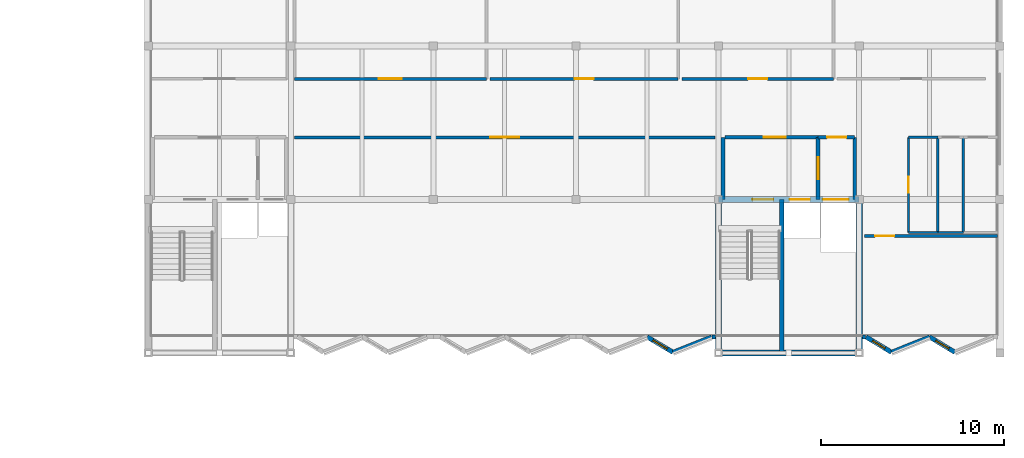
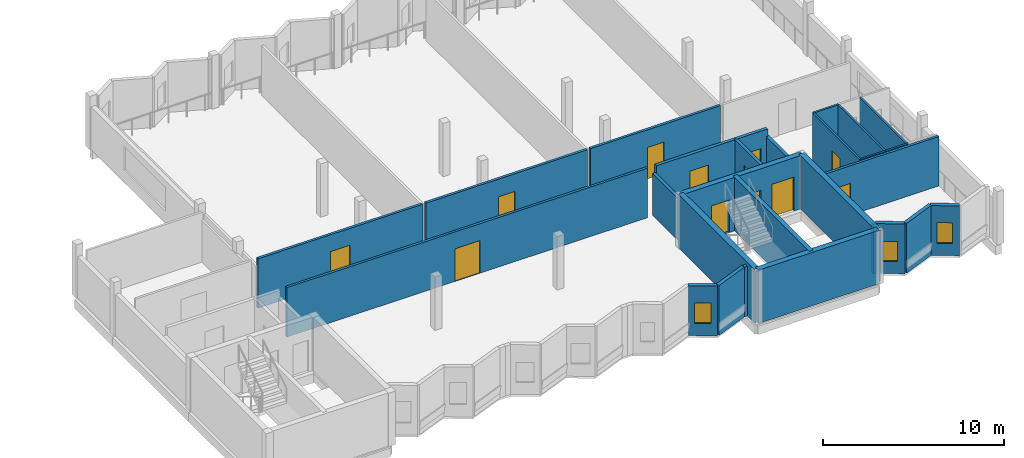
# One storey, part 17 of 25: 28 walls, 12 doors, 3 windows, 15 openings.
"""IFC4 building model written with IfcOpenShell, lengths in metres."""

from ifc_helpers import new_model, si_unit, direction, frame, frame_2d, origin, place, context, subcontext, project, spatial, rectangle, extrude, material, layer, layer_set, type_object, element, fill, save


model = new_model("IFC4")

# Units and contexts
model_context = context("Model", 3, precision=1e-05, world=origin(), true_north=direction((0.0, 1.0)))
body_context = subcontext(model_context, "Body", "Model", "MODEL_VIEW")
ifc_project = project(units=[si_unit("LENGTHUNIT", "METRE"), si_unit("AREAUNIT", "SQUARE_METRE"), si_unit("VOLUMEUNIT", "CUBIC_METRE"), si_unit("PLANEANGLEUNIT", "RADIAN"), si_unit("MASSUNIT", "GRAM", prefix="KILO")], contexts=[model_context])

# Site, building, storey
site_placement = place(None, origin())
site = spatial("IfcSite", under=ifc_project, at=site_placement, CompositionType="ELEMENT")
building_placement = place(site_placement, origin())
building = spatial("IfcBuilding", under=site, at=building_placement, Name="Vharandega Faculty of Natural Sciences", CompositionType="ELEMENT")
storey_placement = place(building_placement, frame((0.0, 0.0, 25.199951171875)))
storey = spatial("IfcBuildingStorey", under=building, at=storey_placement, Name="L06", CompositionType="ELEMENT", Elevation=25.199951171875)

# Walls
ifc_material_1 = material(Name="Concrete C40/50", Category="concrete")
ifc_layer_1 = layer(ifc_material_1, 0.35009765625, Name="Concrete C40/50")
ifc_layer_set_1 = layer_set([ifc_layer_1], Name="Concrete C40/50")
wall_type_1 = type_object("IfcWallType", Name="Core Shear Wall 350", PredefinedType="SHEAR", material=ifc_layer_set_1)
wall_1_placement = place(storey_placement, frame((146.0, 64.0, 0.0), z_axis=(0.0, 0.0, 1.0), x_axis=(1.0, 0.0, 0.0)))
element("IfcWall", 1, at=wall_1_placement, inside=storey, type_object=wall_type_1, Name="Interior Wall CW-C2-L06-S", PredefinedType="SHEAR", context=body_context, shape_type="SweptSolid", body=[
    extrude(rectangle(XDim=7.699951171875, YDim=0.35009765625, at=frame_2d((3.85009765625, 0.0))), origin(), (0.0, 0.0, 1.0), 3.60009765625),
])
for number, where, z_axis, x_axis, name in (
    (2, (146.0, 64.0, 0.0), (0.0, 0.0, 1.0), (0.0, 1.0, 0.0), "Interior Wall CW-C2-L06-W"),
    (3, (153.699951171875, 64.0, 0.0), (0.0, 0.0, 1.0), (0.0, 1.0, 0.0), "Interior Wall CW-C2-L06-E"),
):
    element("IfcWall", number, at=place(storey_placement, frame(where, z_axis=z_axis, x_axis=x_axis)), inside=storey, type_object=wall_type_1, Name=name, PredefinedType="SHEAR", context=body_context, shape_type="SweptSolid", body=[
        extrude(rectangle(XDim=8.39990234375, YDim=0.35009765625, at=frame_2d((4.199951171875, 0.0))), origin(), (0.0, 0.0, 1.0), 3.60009765625),
    ])

# Wall, openings, doors
wall_2_placement = place(storey_placement, frame((146.0, 72.39990234375, 0.0), z_axis=(0.0, 0.0, 1.0), x_axis=(1.0, 0.0, 0.0)))
wall_2 = element("IfcWall", 4, at=wall_2_placement, inside=storey, type_object=wall_type_1, Name="Interior Wall CW-C2-L06-N", PredefinedType="SHEAR", context=body_context, shape_type="SweptSolid", body=[
    extrude(rectangle(XDim=7.699951171875, YDim=0.35009765625, at=frame_2d((3.85009765625, 0.0))), origin(), (0.0, 0.0, 1.0), 3.60009765625),
])
opening_1_placement = place(wall_2_placement, frame((1.85009765625, 0.0, 0.0)))
opening_1 = element("IfcOpeningElement", 5, at=opening_1_placement, cuts=wall_2, Name="Opening FD1", PredefinedType="OPENING", context=body_context, shape_type="SweptSolid", body=[
    extrude(rectangle(XDim=1.14990234375, YDim=2.199951171875, at=frame_2d((0.574951171875, 1.10009765625))), frame((0.0, 0.18505859375, 0.0), z_axis=(0.0, -1.0, 0.0), x_axis=(1.0, 0.0, 0.0)), (0.0, 0.0, 1.0), 0.3701171875),
])
opening_2_placement = place(wall_2_placement, frame((3.89990234375, 0.0, 0.0)))
opening_2 = element("IfcOpeningElement", 6, at=opening_2_placement, cuts=wall_2, Name="Opening LD-FL2-L06", PredefinedType="OPENING", context=body_context, shape_type="SweptSolid", body=[
    extrude(rectangle(XDim=1.10009765625, YDim=2.14990234375, at=frame_2d((0.550048828125, 1.074951171875))), frame((0.0, 0.18505859375, 0.0), z_axis=(0.0, -1.0, 0.0), x_axis=(1.0, 0.0, 0.0)), (0.0, 0.0, 1.0), 0.3701171875),
])
opening_3_placement = place(wall_2_placement, frame((5.719970703125, 0.0, 0.0)))
opening_3 = element("IfcOpeningElement", 7, at=opening_3_placement, cuts=wall_2, Name="Opening LD-LG1-L06", PredefinedType="OPENING", context=body_context, shape_type="SweptSolid", body=[
    extrude(rectangle(XDim=1.39990234375, YDim=2.300048828125, at=frame_2d((0.699951171875, 1.14990234375))), frame((0.0, 0.18505859375, 0.0), z_axis=(0.0, -1.0, 0.0), x_axis=(1.0, 0.0, 0.0)), (0.0, 0.0, 1.0), 0.3701171875),
])
ifc_material_2 = material(Name="Solid-core hardwood timber fire door", Category="wood")
door_type_1 = type_object("IfcDoorType", Name="FD1-STAIR-1150x2200", OperationType="NOTDEFINED", PredefinedType="DOOR", material=ifc_material_2)
door_1_placement = place(opening_1_placement, origin())
door_1 = element("IfcDoor", 8, at=door_1_placement, inside=storey, type_object=door_type_1, Name="Stair ST2 Fire Door FD1", OperationType="SINGLE_SWING_LEFT", OverallHeight=2.199951171875, OverallWidth=1.14990234375, PredefinedType="DOOR", context=body_context, shape_type="SweptSolid", body=[
    extrude(rectangle(XDim=1.14990234375, YDim=2.199951171875, at=frame_2d((0.574951171875, 1.10009765625))), frame((0.0, 0.02490234375, 0.0), z_axis=(0.0, -1.0, 0.0), x_axis=(1.0, 0.0, 0.0)), (0.0, 0.0, 1.0), 0.050048828125),
])
fill(opening_1, door_1)
ifc_material_3 = material(Name="Brushed stainless steel sliding landing door", Category="steel")
door_type_2 = type_object("IfcDoorType", Name="LD1-FFLIFT-SLIDING-1100x2150", OperationType="DOUBLE_DOOR_SLIDING", PredefinedType="DOOR", material=ifc_material_3)
door_2_placement = place(opening_2_placement, origin())
door_2 = element("IfcDoor", 9, at=door_2_placement, inside=storey, type_object=door_type_2, Name="Lift Landing Door LD-FL2-L06", OperationType="DOUBLE_DOOR_SLIDING", OverallHeight=2.14990234375, OverallWidth=1.10009765625, PredefinedType="DOOR", context=body_context, shape_type="SweptSolid", body=[
    extrude(rectangle(XDim=1.10009765625, YDim=2.14990234375, at=frame_2d((0.550048828125, 1.074951171875))), frame((0.0, 0.02490234375, 0.0), z_axis=(0.0, -1.0, 0.0), x_axis=(1.0, 0.0, 0.0)), (0.0, 0.0, 1.0), 0.050048828125),
])
fill(opening_2, door_2)
ifc_material_4 = material(Name="Brushed stainless steel sliding landing door", Category="steel")
door_type_3 = type_object("IfcDoorType", Name="LD3-GOODSLIFT-SLIDING-1400x2300", OperationType="DOUBLE_DOOR_SLIDING", PredefinedType="DOOR", material=ifc_material_4)
door_3_placement = place(opening_3_placement, origin())
door_3 = element("IfcDoor", 10, at=door_3_placement, inside=storey, type_object=door_type_3, Name="Lift Landing Door LD-LG1-L06", OperationType="DOUBLE_DOOR_SLIDING", OverallHeight=2.300048828125, OverallWidth=1.39990234375, PredefinedType="DOOR", context=body_context, shape_type="SweptSolid", body=[
    extrude(rectangle(XDim=1.39990234375, YDim=2.300048828125, at=frame_2d((0.699951171875, 1.14990234375))), frame((0.0, 0.02490234375, 0.0), z_axis=(0.0, -1.0, 0.0), x_axis=(1.0, 0.0, 0.0)), (0.0, 0.0, 1.0), 0.050048828125),
])
fill(opening_3, door_3)

# Wall, opening, door
ifc_material_5 = material(Name="Concrete C40/50", Category="concrete")
ifc_layer_2 = layer(ifc_material_5, 0.199951171875, Name="Concrete C40/50")
ifc_layer_set_2 = layer_set([ifc_layer_2], Name="Concrete C40/50")
wall_type_2 = type_object("IfcWallType", Name="Firefighting Lobby Wall 200", PredefinedType="PARTITIONING", material=ifc_layer_set_2)
wall_3_placement = place(storey_placement, frame((146.35009765625, 75.800048828125, 0.0), z_axis=(0.0, 0.0, 1.0), x_axis=(1.0, 0.0, 0.0)))
wall_3 = element("IfcWall", 11, at=wall_3_placement, inside=storey, type_object=wall_type_2, Name="Interior Wall PW-FFL-C2-L06-N", PredefinedType="PARTITIONING", context=body_context, shape_type="SweptSolid", body=[
    extrude(rectangle(XDim=5.099853515625, YDim=0.199951171875, at=frame_2d((2.5498046875, 0.0))), origin(), (0.0, 0.0, 1.0), 3.320068359375),
])
opening_4_placement = place(wall_3_placement, frame((2.125, 0.0, 0.0)))
opening_4 = element("IfcOpeningElement", 12, at=opening_4_placement, cuts=wall_3, Name="Opening FD2", PredefinedType="OPENING", context=body_context, shape_type="SweptSolid", body=[
    extrude(rectangle(XDim=1.199951171875, YDim=2.199951171875, at=frame_2d((0.60009765625, 1.10009765625))), frame((0.0, 0.10986328125, 0.0), z_axis=(0.0, -1.0, 0.0), x_axis=(1.0, 0.0, 0.0)), (0.0, 0.0, 1.0), 0.219970703125),
])
ifc_material_6 = material(Name="Solid-core hardwood timber fire door", Category="wood")
door_type_4 = type_object("IfcDoorType", Name="FD2-FFLOBBY-1200x2200", OperationType="NOTDEFINED", PredefinedType="DOOR", material=ifc_material_6)
door_4_placement = place(opening_4_placement, origin())
door_4 = element("IfcDoor", 13, at=door_4_placement, inside=storey, type_object=door_type_4, Name="Firefighting Lobby C2 Door FD2", OperationType="SINGLE_SWING_RIGHT", OverallHeight=2.199951171875, OverallWidth=1.199951171875, PredefinedType="DOOR", context=body_context, shape_type="SweptSolid", body=[
    extrude(rectangle(XDim=1.199951171875, YDim=2.199951171875, at=frame_2d((0.60009765625, 1.10009765625))), frame((0.0, 0.02490234375, 0.0), z_axis=(0.0, -1.0, 0.0), x_axis=(1.0, 0.0, 0.0)), (0.0, 0.0, 1.0), 0.050048828125),
])
fill(opening_4, door_4)

# Wall
wall_4_placement = place(storey_placement, frame((146.25, 72.39990234375, 0.0), z_axis=(0.0, 0.0, 1.0), x_axis=(0.0, 1.0, 0.0)))
element("IfcWall", 14, at=wall_4_placement, inside=storey, type_object=wall_type_2, Name="Interior Wall PW-FFL-C2-L06-W", PredefinedType="PARTITIONING", context=body_context, shape_type="SweptSolid", body=[
    extrude(rectangle(XDim=3.400146484375, YDim=0.199951171875, at=frame_2d((1.7001953125, 0.0))), origin(), (0.0, 0.0, 1.0), 2.820068359375),
])

# Wall, opening, door
wall_5_placement = place(storey_placement, frame((151.449951171875, 72.39990234375, 0.0), z_axis=(0.0, 0.0, 1.0), x_axis=(0.0, 1.0, 0.0)))
wall_5 = element("IfcWall", 15, at=wall_5_placement, inside=storey, type_object=wall_type_2, Name="Interior Wall PW-FFL-C2-L06-E", PredefinedType="PARTITIONING", context=body_context, shape_type="SweptSolid", body=[
    extrude(rectangle(XDim=3.400146484375, YDim=0.199951171875, at=frame_2d((1.7001953125, 0.0))), origin(), (0.0, 0.0, 1.0), 3.320068359375),
])
opening_5_placement = place(wall_5_placement, frame((1.10009765625, 0.0, 0.0)))
opening_5 = element("IfcOpeningElement", 16, at=opening_5_placement, cuts=wall_5, Name="Opening FD2", PredefinedType="OPENING", context=body_context, shape_type="SweptSolid", body=[
    extrude(rectangle(XDim=1.199951171875, YDim=2.199951171875, at=frame_2d((0.60009765625, 1.10009765625))), frame((0.0, 0.10986328125, 0.0), z_axis=(0.0, -1.0, 0.0), x_axis=(1.0, 0.0, 0.0)), (0.0, 0.0, 1.0), 0.219970703125),
])
door_5_placement = place(opening_5_placement, origin())
door_5 = element("IfcDoor", 17, at=door_5_placement, inside=storey, type_object=door_type_4, Name="Lobby Interconnect C2 Door FD2", OperationType="SINGLE_SWING_LEFT", OverallHeight=2.199951171875, OverallWidth=1.199951171875, PredefinedType="DOOR", context=body_context, shape_type="SweptSolid", body=[
    extrude(rectangle(XDim=1.199951171875, YDim=2.199951171875, at=frame_2d((0.60009765625, 1.10009765625))), frame((0.0, 0.02490234375, 0.0), z_axis=(0.0, -1.0, 0.0), x_axis=(1.0, 0.0, 0.0)), (0.0, 0.0, 1.0), 0.050048828125),
])
fill(opening_5, door_5)

wall_6_placement = place(storey_placement, frame((151.449951171875, 75.800048828125, 0.0), z_axis=(0.0, 0.0, 1.0), x_axis=(1.0, 0.0, 0.0)))
wall_6 = element("IfcWall", 18, at=wall_6_placement, inside=storey, type_object=wall_type_2, Name="Interior Wall PW-LL-C2-L06-N", PredefinedType="PARTITIONING", context=body_context, shape_type="SweptSolid", body=[
    extrude(rectangle(XDim=2.0, YDim=0.199951171875, at=frame_2d((1.0, 0.0))), origin(), (0.0, 0.0, 1.0), 3.320068359375),
])
opening_6_placement = place(wall_6_placement, frame((0.5, 0.0, 0.0)))
opening_6 = element("IfcOpeningElement", 19, at=opening_6_placement, cuts=wall_6, Name="Opening FD4", PredefinedType="OPENING", context=body_context, shape_type="SweptSolid", body=[
    extrude(rectangle(XDim=1.050048828125, YDim=2.14990234375, at=frame_2d((0.52490234375, 1.074951171875))), frame((0.0, 0.10986328125, 0.0), z_axis=(0.0, -1.0, 0.0), x_axis=(1.0, 0.0, 0.0)), (0.0, 0.0, 1.0), 0.219970703125),
])
ifc_material_7 = material(Name="Solid-core hardwood timber fire door", Category="wood")
door_type_5 = type_object("IfcDoorType", Name="FD4-LAB-SGL-1050x2150", OperationType="NOTDEFINED", PredefinedType="DOOR", material=ifc_material_7)
door_6_placement = place(opening_6_placement, origin())
door_6 = element("IfcDoor", 20, at=door_6_placement, inside=storey, type_object=door_type_5, Name="Lift Lobby C2 Door FD4", OperationType="SINGLE_SWING_RIGHT", OverallHeight=2.14990234375, OverallWidth=1.050048828125, PredefinedType="DOOR", context=body_context, shape_type="SweptSolid", body=[
    extrude(rectangle(XDim=1.050048828125, YDim=2.14990234375, at=frame_2d((0.52490234375, 1.074951171875))), frame((0.0, 0.02490234375, 0.0), z_axis=(0.0, -1.0, 0.0), x_axis=(1.0, 0.0, 0.0)), (0.0, 0.0, 1.0), 0.050048828125),
])
fill(opening_6, door_6)

# Wall
wall_7_placement = place(storey_placement, frame((153.449951171875, 72.39990234375, 0.0), z_axis=(0.0, 0.0, 1.0), x_axis=(0.0, 1.0, 0.0)))
element("IfcWall", 21, at=wall_7_placement, inside=storey, type_object=wall_type_2, Name="Interior Wall PW-LL-C2-L06-E", PredefinedType="PARTITIONING", context=body_context, shape_type="SweptSolid", body=[
    extrude(rectangle(XDim=3.400146484375, YDim=0.199951171875, at=frame_2d((1.7001953125, 0.0))), origin(), (0.0, 0.0, 1.0), 2.820068359375),
])

# Wall, opening, door
ifc_material_8 = material(Name="Gypsum fire-board on steel stud", Category="steel")
ifc_layer_3 = layer(ifc_material_8, 0.159912109375, Name="Gypsum fire-board on steel stud")
ifc_layer_set_3 = layer_set([ifc_layer_3], Name="Gypsum fire-board on steel stud")
wall_type_3 = type_object("IfcWallType", Name="Laboratory Fire Corridor Wall 160", PredefinedType="PARTITIONING", material=ifc_layer_set_3)
wall_8_placement = place(storey_placement, frame((122.800048828125, 75.800048828125, 0.0), z_axis=(0.0, 0.0, 1.0), x_axis=(1.0, 0.0, 0.0)))
wall_8 = element("IfcWall", 22, at=wall_8_placement, inside=storey, type_object=wall_type_3, Name="Interior Wall PW-L06-R07N", PredefinedType="PARTITIONING", context=body_context, shape_type="SweptSolid", body=[
    extrude(rectangle(XDim=23.0, YDim=0.159912109375, at=frame_2d((11.5, 0.0))), origin(), (0.0, 0.0, 1.0), 3.340087890625),
])
opening_7_placement = place(wall_8_placement, frame((10.699951171875, 0.0, 0.0)))
opening_7 = element("IfcOpeningElement", 23, at=opening_7_placement, cuts=wall_8, Name="Opening FD3", PredefinedType="OPENING", context=body_context, shape_type="SweptSolid", body=[
    extrude(rectangle(XDim=1.60009765625, YDim=2.199951171875, at=frame_2d((0.800048828125, 1.10009765625))), frame((0.0, 0.08984375, 0.0), z_axis=(0.0, -1.0, 0.0), x_axis=(1.0, 0.0, 0.0)), (0.0, 0.0, 1.0), 0.179931640625),
])
ifc_material_9 = material(Name="Solid-core hardwood timber fire door", Category="wood")
door_type_6 = type_object("IfcDoorType", Name="FD3-LAB-DBL-1600x2200", OperationType="DOUBLE_DOOR_SINGLE_SWING", PredefinedType="DOOR", material=ifc_material_9)
door_7_placement = place(opening_7_placement, origin())
door_7 = element("IfcDoor", 24, at=door_7_placement, inside=storey, type_object=door_type_6, Name="Cold-Chain Media and Tissue Prep Laboratory Door FD3", OperationType="DOUBLE_DOOR_SINGLE_SWING", OverallHeight=2.199951171875, OverallWidth=1.60009765625, PredefinedType="DOOR", context=body_context, shape_type="SweptSolid", body=[
    extrude(rectangle(XDim=1.60009765625, YDim=2.199951171875, at=frame_2d((0.800048828125, 1.10009765625))), frame((0.0, 0.02490234375, 0.0), z_axis=(0.0, -1.0, 0.0), x_axis=(1.0, 0.0, 0.0)), (0.0, 0.0, 1.0), 0.050048828125),
])
fill(opening_7, door_7)

wall_9_placement = place(storey_placement, frame((154.0, 70.39990234375, 0.0), z_axis=(0.0, 0.0, 1.0), x_axis=(1.0, 0.0, 0.0)))
wall_9 = element("IfcWall", 25, at=wall_9_placement, inside=storey, type_object=wall_type_3, Name="Interior Wall PW-L06-R11N", PredefinedType="PARTITIONING", context=body_context, shape_type="SweptSolid", body=[
    extrude(rectangle(XDim=7.260009765625, YDim=0.159912109375, at=frame_2d((3.6298828125, 0.0))), origin(), (0.0, 0.0, 1.0), 3.340087890625),
])
opening_8_placement = place(wall_9_placement, frame((0.574951171875, 0.0, 0.0)))
opening_8 = element("IfcOpeningElement", 26, at=opening_8_placement, cuts=wall_9, Name="Opening FD4", PredefinedType="OPENING", context=body_context, shape_type="SweptSolid", body=[
    extrude(rectangle(XDim=1.050048828125, YDim=2.14990234375, at=frame_2d((0.52490234375, 1.074951171875))), frame((0.0, 0.08984375, 0.0), z_axis=(0.0, -1.0, 0.0), x_axis=(1.0, 0.0, 0.0)), (0.0, 0.0, 1.0), 0.179931640625),
])
door_8_placement = place(opening_8_placement, origin())
door_8 = element("IfcDoor", 27, at=door_8_placement, inside=storey, type_object=door_type_5, Name="L06 Laboratory Manager Office Door FD4", OperationType="SINGLE_SWING_LEFT", OverallHeight=2.14990234375, OverallWidth=1.050048828125, PredefinedType="DOOR", context=body_context, shape_type="SweptSolid", body=[
    extrude(rectangle(XDim=1.050048828125, YDim=2.14990234375, at=frame_2d((0.52490234375, 1.074951171875))), frame((0.0, 0.02490234375, 0.0), z_axis=(0.0, -1.0, 0.0), x_axis=(1.0, 0.0, 0.0)), (0.0, 0.0, 1.0), 0.050048828125),
])
fill(opening_8, door_8)

wall_10_placement = place(storey_placement, frame((122.800048828125, 79.0, 0.0), z_axis=(0.0, 0.0, 1.0), x_axis=(1.0, 0.0, 0.0)))
wall_10 = element("IfcWall", 28, at=wall_10_placement, inside=storey, type_object=wall_type_3, Name="Interior Wall PW-L06-R12S", PredefinedType="PARTITIONING", context=body_context, shape_type="SweptSolid", body=[
    extrude(rectangle(XDim=10.5, YDim=0.159912109375, at=frame_2d((5.25, 0.0))), origin(), (0.0, 0.0, 1.0), 3.340087890625),
])
opening_9_placement = place(wall_10_placement, frame((4.625, 0.0, 0.0)))
opening_9 = element("IfcOpeningElement", 29, at=opening_9_placement, cuts=wall_10, Name="Opening D0333", PredefinedType="OPENING", context=body_context, shape_type="SweptSolid", body=[
    extrude(rectangle(XDim=1.25, YDim=2.199951171875, at=frame_2d((0.625, 1.10009765625))), frame((0.0, 0.08984375, 0.0), z_axis=(0.0, -1.0, 0.0), x_axis=(1.0, 0.0, 0.0)), (0.0, 0.0, 1.0), 0.179931640625),
])
ifc_material_10 = material(Name="Solid-core hardwood timber fire door", Category="wood")
door_type_7 = type_object("IfcDoorType", Name="ID13-PREP-1250x2200", OperationType="NOTDEFINED", PredefinedType="DOOR", material=ifc_material_10)
door_9_placement = place(opening_9_placement, origin())
door_9 = element("IfcDoor", 30, at=door_9_placement, inside=storey, type_object=door_type_7, Name="Cell and Molecular Biology Research Laboratory Door D0333", OperationType="SINGLE_SWING_RIGHT", OverallHeight=2.199951171875, OverallWidth=1.25, PredefinedType="DOOR", context=body_context, shape_type="SweptSolid", body=[
    extrude(rectangle(XDim=1.25, YDim=2.199951171875, at=frame_2d((0.625, 1.10009765625))), frame((0.0, 0.02490234375, 0.0), z_axis=(0.0, -1.0, 0.0), x_axis=(1.0, 0.0, 0.0)), (0.0, 0.0, 1.0), 0.050048828125),
])
fill(opening_9, door_9)

wall_11_placement = place(storey_placement, frame((133.5, 79.0, 0.0), z_axis=(0.0, 0.0, 1.0), x_axis=(1.0, 0.0, 0.0)))
wall_11 = element("IfcWall", 31, at=wall_11_placement, inside=storey, type_object=wall_type_3, Name="Interior Wall PW-L06-R13S", PredefinedType="PARTITIONING", context=body_context, shape_type="SweptSolid", body=[
    extrude(rectangle(XDim=10.300048828125, YDim=0.159912109375, at=frame_2d((5.14990234375, 0.0))), origin(), (0.0, 0.0, 1.0), 3.340087890625),
])
opening_10_placement = place(wall_11_placement, frame((4.625, 0.0, 0.0)))
opening_10 = element("IfcOpeningElement", 32, at=opening_10_placement, cuts=wall_11, Name="Opening FD4", PredefinedType="OPENING", context=body_context, shape_type="SweptSolid", body=[
    extrude(rectangle(XDim=1.050048828125, YDim=2.14990234375, at=frame_2d((0.52490234375, 1.074951171875))), frame((0.0, 0.08984375, 0.0), z_axis=(0.0, -1.0, 0.0), x_axis=(1.0, 0.0, 0.0)), (0.0, 0.0, 1.0), 0.179931640625),
])
door_10_placement = place(opening_10_placement, origin())
door_10 = element("IfcDoor", 33, at=door_10_placement, inside=storey, type_object=door_type_5, Name="Genomics Sequencing Laboratory Door FD4", OperationType="SINGLE_SWING_LEFT", OverallHeight=2.14990234375, OverallWidth=1.050048828125, PredefinedType="DOOR", context=body_context, shape_type="SweptSolid", body=[
    extrude(rectangle(XDim=1.050048828125, YDim=2.14990234375, at=frame_2d((0.52490234375, 1.074951171875))), frame((0.0, 0.02490234375, 0.0), z_axis=(0.0, -1.0, 0.0), x_axis=(1.0, 0.0, 0.0)), (0.0, 0.0, 1.0), 0.050048828125),
])
fill(opening_10, door_10)

wall_12_placement = place(storey_placement, frame((144.0, 79.0, 0.0), z_axis=(0.0, 0.0, 1.0), x_axis=(1.0, 0.0, 0.0)))
wall_12 = element("IfcWall", 34, at=wall_12_placement, inside=storey, type_object=wall_type_3, Name="Interior Wall PW-L06-R14S", PredefinedType="PARTITIONING", context=body_context, shape_type="SweptSolid", body=[
    extrude(rectangle(XDim=8.300048828125, YDim=0.159912109375, at=frame_2d((4.14990234375, 0.0))), origin(), (0.0, 0.0, 1.0), 3.340087890625),
])
opening_11_placement = place(wall_12_placement, frame((3.625, 0.0, 0.0)))
opening_11 = element("IfcOpeningElement", 35, at=opening_11_placement, cuts=wall_12, Name="Opening FD4", PredefinedType="OPENING", context=body_context, shape_type="SweptSolid", body=[
    extrude(rectangle(XDim=1.050048828125, YDim=2.14990234375, at=frame_2d((0.52490234375, 1.074951171875))), frame((0.0, 0.08984375, 0.0), z_axis=(0.0, -1.0, 0.0), x_axis=(1.0, 0.0, 0.0)), (0.0, 0.0, 1.0), 0.179931640625),
])
door_11_placement = place(opening_11_placement, origin())
door_11 = element("IfcDoor", 36, at=door_11_placement, inside=storey, type_object=door_type_5, Name="Microscopy Imaging Suite Door FD4", OperationType="SINGLE_SWING_RIGHT", OverallHeight=2.14990234375, OverallWidth=1.050048828125, PredefinedType="DOOR", context=body_context, shape_type="SweptSolid", body=[
    extrude(rectangle(XDim=1.050048828125, YDim=2.14990234375, at=frame_2d((0.52490234375, 1.074951171875))), frame((0.0, 0.02490234375, 0.0), z_axis=(0.0, -1.0, 0.0), x_axis=(1.0, 0.0, 0.0)), (0.0, 0.0, 1.0), 0.050048828125),
])
fill(opening_11, door_11)

# Walls
ifc_material_11 = material(Name="Concrete C40/50", Category="concrete")
ifc_layer_4 = layer(ifc_material_11, 0.260009765625, Name="Concrete C40/50")
ifc_layer_set_4 = layer_set([ifc_layer_4], Name="Concrete C40/50")
wall_type_4 = type_object("IfcWallType", Name="Lift Shaft Shear Wall 260", PredefinedType="SHEAR", material=ifc_layer_set_4)
wall_13_placement = place(storey_placement, frame((149.4599609375, 64.0, 0.0), z_axis=(0.0, 0.0, 1.0), x_axis=(0.0, 1.0, 0.0)))
element("IfcWall", 37, at=wall_13_placement, inside=storey, type_object=wall_type_4, Name="Interior Wall CW-C2-L06-DIV", PredefinedType="SHEAR", context=body_context, shape_type="SweptSolid", body=[
    extrude(rectangle(XDim=8.39990234375, YDim=0.260009765625, at=frame_2d((4.199951171875, 0.0))), origin(), (0.0, 0.0, 1.0), 3.60009765625),
])
ifc_material_12 = material(Name="Moisture-resistant gypsum partition", Category="gypsum")
ifc_layer_5 = layer(ifc_material_12, 0.1201171875, Name="Moisture-resistant gypsum partition")
ifc_layer_set_5 = layer_set([ifc_layer_5], Name="Moisture-resistant gypsum partition")
wall_type_5 = type_object("IfcWallType", Name="Sanitary Wet Wall 120", PredefinedType="PARTITIONING", material=ifc_layer_set_5)
for number, where, z_axis, x_axis, name in (
    (38, (156.39990234375, 70.60009765625, 0.0), (0.0, 0.0, 1.0), (1.0, 0.0, 0.0), "Interior Wall PW-L06-R08S"),
    (39, (156.39990234375, 75.800048828125, 0.0), (0.0, 0.0, 1.0), (1.0, 0.0, 0.0), "Interior Wall PW-L06-R08N"),
):
    element("IfcWall", number, at=place(storey_placement, frame(where, z_axis=z_axis, x_axis=x_axis)), inside=storey, type_object=wall_type_5, Name=name, PredefinedType="PARTITIONING", context=body_context, shape_type="SweptSolid", body=[
        extrude(rectangle(XDim=1.60009765625, YDim=0.1201171875, at=frame_2d((0.800048828125, 0.0))), origin(), (0.0, 0.0, 1.0), 3.340087890625),
    ])

# Wall, opening, door
wall_14_placement = place(storey_placement, frame((156.39990234375, 70.60009765625, 0.0), z_axis=(0.0, 0.0, 1.0), x_axis=(0.0, 1.0, 0.0)))
wall_14 = element("IfcWall", 40, at=wall_14_placement, inside=storey, type_object=wall_type_5, Name="Interior Wall PW-L06-R08W", PredefinedType="PARTITIONING", context=body_context, shape_type="SweptSolid", body=[
    extrude(rectangle(XDim=5.199951171875, YDim=0.1201171875, at=frame_2d((2.60009765625, 0.0))), origin(), (0.0, 0.0, 1.0), 3.340087890625),
])
opening_12_placement = place(wall_14_placement, frame((2.159912109375, 0.0, 0.0)))
opening_12 = element("IfcOpeningElement", 41, at=opening_12_placement, cuts=wall_14, Name="Opening D0329", PredefinedType="OPENING", context=body_context, shape_type="SweptSolid", body=[
    extrude(rectangle(XDim=0.8798828125, YDim=2.10009765625, at=frame_2d((0.43994140625, 1.050048828125))), frame((0.0, 0.070068359375, 0.0), z_axis=(0.0, -1.0, 0.0), x_axis=(1.0, 0.0, 0.0)), (0.0, 0.0, 1.0), 0.14013671875),
])
ifc_material_13 = material(Name="Solid-core hardwood timber fire door", Category="wood")
door_type_8 = type_object("IfcDoorType", Name="ID06-WC-0880x2100", OperationType="NOTDEFINED", PredefinedType="DOOR", material=ifc_material_13)
door_12_placement = place(opening_12_placement, origin())
door_12 = element("IfcDoor", 42, at=door_12_placement, inside=storey, type_object=door_type_8, Name="L06 Male Washroom Door D0329", OperationType="SINGLE_SWING_RIGHT", OverallHeight=2.10009765625, OverallWidth=0.8798828125, PredefinedType="DOOR", context=body_context, shape_type="SweptSolid", body=[
    extrude(rectangle(XDim=0.8798828125, YDim=2.10009765625, at=frame_2d((0.43994140625, 1.050048828125))), frame((0.0, 0.02490234375, 0.0), z_axis=(0.0, -1.0, 0.0), x_axis=(1.0, 0.0, 0.0)), (0.0, 0.0, 1.0), 0.050048828125),
])
fill(opening_12, door_12)

# Walls
wall_15_placement = place(storey_placement, frame((158.0, 70.60009765625, 0.0), z_axis=(0.0, 0.0, 1.0), x_axis=(0.0, 1.0, 0.0)))
element("IfcWall", 43, at=wall_15_placement, inside=storey, type_object=wall_type_5, Name="Interior Wall PW-L06-R08E", PredefinedType="PARTITIONING", context=body_context, shape_type="SweptSolid", body=[
    extrude(rectangle(XDim=5.199951171875, YDim=0.1201171875, at=frame_2d((2.60009765625, 0.0))), origin(), (0.0, 0.0, 1.0), 3.340087890625),
])
wall_16_placement = place(storey_placement, frame((158.0, 70.60009765625, 0.0), z_axis=(0.0, 0.0, 1.0), x_axis=(1.0, 0.0, 0.0)))
element("IfcWall", 44, at=wall_16_placement, inside=storey, type_object=wall_type_5, Name="Interior Wall PW-L06-R09S", PredefinedType="PARTITIONING", context=body_context, shape_type="SweptSolid", body=[
    extrude(rectangle(XDim=1.39990234375, YDim=0.1201171875, at=frame_2d((0.699951171875, 0.0))), origin(), (0.0, 0.0, 1.0), 3.340087890625),
])
wall_17_placement = place(storey_placement, frame((159.39990234375, 70.60009765625, 0.0), z_axis=(0.0, 0.0, 1.0), x_axis=(0.0, 1.0, 0.0)))
element("IfcWall", 45, at=wall_17_placement, inside=storey, type_object=wall_type_5, Name="Interior Wall PW-L06-R09E", PredefinedType="PARTITIONING", context=body_context, shape_type="SweptSolid", body=[
    extrude(rectangle(XDim=5.199951171875, YDim=0.1201171875, at=frame_2d((2.60009765625, 0.0))), origin(), (0.0, 0.0, 1.0), 3.340087890625),
])

# Wall, opening, window
ifc_material_14 = material(Name="Precast concrete C40/50", Category="concrete")
ifc_layer_6 = layer(ifc_material_14, 0.25, Name="Precast concrete C40/50")
ifc_layer_set_6 = layer_set([ifc_layer_6], Name="Precast concrete C40/50")
wall_type_6 = type_object("IfcWallType", Name="Sawtooth Glazed-Face Precast Wall 250", PredefinedType="SOLIDWALL", material=ifc_layer_set_6)
wall_18_placement = place(storey_placement, frame((143.508056640625, 64.0400390625, 0.0), z_axis=(0.0, 0.0, 1.0), x_axis=(-0.858817206091, 0.512282155185, 0.0)))
wall_18 = element("IfcWall", 46, at=wall_18_placement, inside=storey, type_object=wall_type_6, Name="Exterior Wall EW-SAW-L06-S06G", PredefinedType="SOLIDWALL", context=body_context, shape_type="SweptSolid", body=[
    extrude(rectangle(XDim=1.639404296875, YDim=0.25, at=frame_2d((0.81982421875, 0.0))), origin(), (0.0, 0.0, 1.0), 3.360107421875),
])
opening_13_placement = place(wall_18_placement, frame((0.35986328125, 0.0, 0.820068359375)))
opening_13 = element("IfcOpeningElement", 47, at=opening_13_placement, cuts=wall_18, Name="Opening WN-06B", PredefinedType="OPENING", context=body_context, shape_type="SweptSolid", body=[
    extrude(rectangle(XDim=0.919921875, YDim=1.3798828125, at=frame_2d((0.4599609375, 0.68994140625))), frame((0.0, 0.135009765625, 0.0), z_axis=(0.0, -1.0, 0.0), x_axis=(1.0, 0.0, 0.0)), (0.0, 0.0, 1.0), 0.27001953125),
])
ifc_material_15 = material(Name="Double-glazed solar-control glass in thermally broken aluminium frame", Category="aluminium")
window_type_1 = type_object("IfcWindowType", Name="WIN-SAW-092x138", PartitioningType="SINGLE_PANEL", PredefinedType="WINDOW", material=ifc_material_15)
window_1_placement = place(opening_13_placement, origin())
window_1 = element("IfcWindow", 48, at=window_1_placement, inside=storey, type_object=window_type_1, Name="Window WIN-L06-0044", OverallHeight=1.3798828125, OverallWidth=0.919921875, PartitioningType="SINGLE_PANEL", PredefinedType="WINDOW", context=body_context, shape_type="SweptSolid", body=[
    extrude(rectangle(XDim=0.919921875, YDim=1.3798828125, at=frame_2d((0.4599609375, 0.68994140625))), frame((0.0, 0.030029296875, 0.0), z_axis=(0.0, -1.0, 0.0), x_axis=(1.0, 0.0, 0.0)), (0.0, 0.0, 1.0), 0.06005859375),
])
fill(opening_13, window_1)

wall_19_placement = place(storey_placement, frame((155.468017578125, 64.0400390625, 0.0), z_axis=(0.0, 0.0, 1.0), x_axis=(-0.855561475997, 0.51770122734, 0.0)))
wall_19 = element("IfcWall", 49, at=wall_19_placement, inside=storey, type_object=wall_type_6, Name="Exterior Wall EW-SAW-L06-S07G", PredefinedType="SOLIDWALL", context=body_context, shape_type="SweptSolid", body=[
    extrude(rectangle(XDim=1.622314453125, YDim=0.25, at=frame_2d((0.81103515625, 0.0))), origin(), (0.0, 0.0, 1.0), 3.360107421875),
])
opening_14_placement = place(wall_19_placement, frame((0.4111328125, 0.0, 0.820068359375)))
opening_14 = element("IfcOpeningElement", 50, at=opening_14_placement, cuts=wall_19, Name="Opening WN-01", PredefinedType="OPENING", context=body_context, shape_type="SweptSolid", body=[
    extrude(rectangle(XDim=0.800048828125, YDim=1.35009765625, at=frame_2d((0.39990234375, 0.675048828125))), frame((0.0, 0.135009765625, 0.0), z_axis=(0.0, -1.0, 0.0), x_axis=(1.0, 0.0, 0.0)), (0.0, 0.0, 1.0), 0.27001953125),
])
ifc_material_16 = material(Name="Double-glazed solar-control glass in thermally broken aluminium frame", Category="aluminium")
window_type_2 = type_object("IfcWindowType", Name="WIN-SAW-080x135", PartitioningType="SINGLE_PANEL", PredefinedType="WINDOW", material=ifc_material_16)
window_2_placement = place(opening_14_placement, origin())
window_2 = element("IfcWindow", 51, at=window_2_placement, inside=storey, type_object=window_type_2, Name="Window WIN-L06-0045", OverallHeight=1.35009765625, OverallWidth=0.800048828125, PartitioningType="SINGLE_PANEL", PredefinedType="WINDOW", context=body_context, shape_type="SweptSolid", body=[
    extrude(rectangle(XDim=0.800048828125, YDim=1.35009765625, at=frame_2d((0.39990234375, 0.675048828125))), frame((0.0, 0.030029296875, 0.0), z_axis=(0.0, -1.0, 0.0), x_axis=(1.0, 0.0, 0.0)), (0.0, 0.0, 1.0), 0.06005859375),
])
fill(opening_14, window_2)

wall_20_placement = place(storey_placement, frame((158.93798828125, 64.0400390625, 0.0), z_axis=(0.0, 0.0, 1.0), x_axis=(-0.855561475997, 0.51770122734, 0.0)))
wall_20 = element("IfcWall", 52, at=wall_20_placement, inside=storey, type_object=wall_type_6, Name="Exterior Wall EW-SAW-L06-S08G", PredefinedType="SOLIDWALL", context=body_context, shape_type="SweptSolid", body=[
    extrude(rectangle(XDim=1.622314453125, YDim=0.25, at=frame_2d((0.81103515625, 0.0))), origin(), (0.0, 0.0, 1.0), 3.360107421875),
])
opening_15_placement = place(wall_20_placement, frame((0.38623046875, 0.0, 0.820068359375)))
opening_15 = element("IfcOpeningElement", 53, at=opening_15_placement, cuts=wall_20, Name="Opening WN-02", PredefinedType="OPENING", context=body_context, shape_type="SweptSolid", body=[
    extrude(rectangle(XDim=0.85009765625, YDim=1.39990234375, at=frame_2d((0.425048828125, 0.699951171875))), frame((0.0, 0.135009765625, 0.0), z_axis=(0.0, -1.0, 0.0), x_axis=(1.0, 0.0, 0.0)), (0.0, 0.0, 1.0), 0.27001953125),
])
ifc_material_17 = material(Name="Double-glazed solar-control glass in thermally broken aluminium frame", Category="aluminium")
window_type_3 = type_object("IfcWindowType", Name="WIN-SAW-085x140", PartitioningType="SINGLE_PANEL", PredefinedType="WINDOW", material=ifc_material_17)
window_3_placement = place(opening_15_placement, origin())
window_3 = element("IfcWindow", 54, at=window_3_placement, inside=storey, type_object=window_type_3, Name="Window WIN-L06-0046", OverallHeight=1.39990234375, OverallWidth=0.85009765625, PartitioningType="SINGLE_PANEL", PredefinedType="WINDOW", context=body_context, shape_type="SweptSolid", body=[
    extrude(rectangle(XDim=0.85009765625, YDim=1.39990234375, at=frame_2d((0.425048828125, 0.699951171875))), frame((0.0, 0.030029296875, 0.0), z_axis=(0.0, -1.0, 0.0), x_axis=(1.0, 0.0, 0.0)), (0.0, 0.0, 1.0), 0.06005859375),
])
fill(opening_15, window_3)

# Walls
ifc_material_18 = material(Name="Precast concrete C40/50", Category="concrete")
ifc_layer_7 = layer(ifc_material_18, 0.22998046875, Name="Precast concrete C40/50")
ifc_layer_set_7 = layer_set([ifc_layer_7], Name="Precast concrete C40/50")
wall_type_7 = type_object("IfcWallType", Name="Sawtooth Solid White Precast Wall 230", PredefinedType="SOLIDWALL", material=ifc_layer_set_7)
wall_21_placement = place(storey_placement, frame((145.830078125, 64.8798828125, 0.0), z_axis=(0.0, 0.0, 1.0), x_axis=(-1.0, 0.0, 0.0)))
element("IfcWall", 55, at=wall_21_placement, inside=storey, type_object=wall_type_7, Name="Exterior Wall EW-SHL-L06-S1819FR", PredefinedType="SOLIDWALL", context=body_context, shape_type="SweptSolid", body=[
    extrude(rectangle(XDim=0.190185546875, YDim=0.22998046875, at=frame_2d((0.09521484375, 0.0))), origin(), (0.0, 0.0, 1.0), 3.360107421875),
])
wall_22_placement = place(storey_placement, frame((154.050048828125, 64.8798828125, 0.0), z_axis=(0.0, 0.0, 1.0), x_axis=(-1.0, 0.0, 0.0)))
element("IfcWall", 56, at=wall_22_placement, inside=storey, type_object=wall_type_7, Name="Exterior Wall EW-SHL-L06-S2021FL", PredefinedType="SOLIDWALL", context=body_context, shape_type="SweptSolid", body=[
    extrude(rectangle(XDim=0.179931640625, YDim=0.22998046875, at=frame_2d((0.08984375, 0.0))), origin(), (0.0, 0.0, 1.0), 3.360107421875),
])
wall_23_placement = place(storey_placement, frame((145.6201171875, 64.8798828125, 0.0), z_axis=(0.0, 0.0, 1.0), x_axis=(-0.929230364612, -0.369500919462, 0.0)))
element("IfcWall", 57, at=wall_23_placement, inside=storey, type_object=wall_type_7, Name="Exterior Wall EW-SAW-L06-S06S", PredefinedType="SOLIDWALL", context=body_context, shape_type="SweptSolid", body=[
    extrude(rectangle(XDim=2.27294921875, YDim=0.22998046875, at=frame_2d((1.136474609375, 0.0))), origin(), (0.0, 0.0, 1.0), 3.360107421875),
])
wall_24_placement = place(storey_placement, frame((157.550048828125, 64.8798828125, 0.0), z_axis=(0.0, 0.0, 1.0), x_axis=(-0.927392797001, -0.374089026933, 0.0)))
element("IfcWall", 58, at=wall_24_placement, inside=storey, type_object=wall_type_7, Name="Exterior Wall EW-SAW-L06-S07S", PredefinedType="SOLIDWALL", context=body_context, shape_type="SweptSolid", body=[
    extrude(rectangle(XDim=2.2451171875, YDim=0.22998046875, at=frame_2d((1.12255859375, 0.0))), origin(), (0.0, 0.0, 1.0), 3.360107421875),
])

save(model, "model.ifc")
